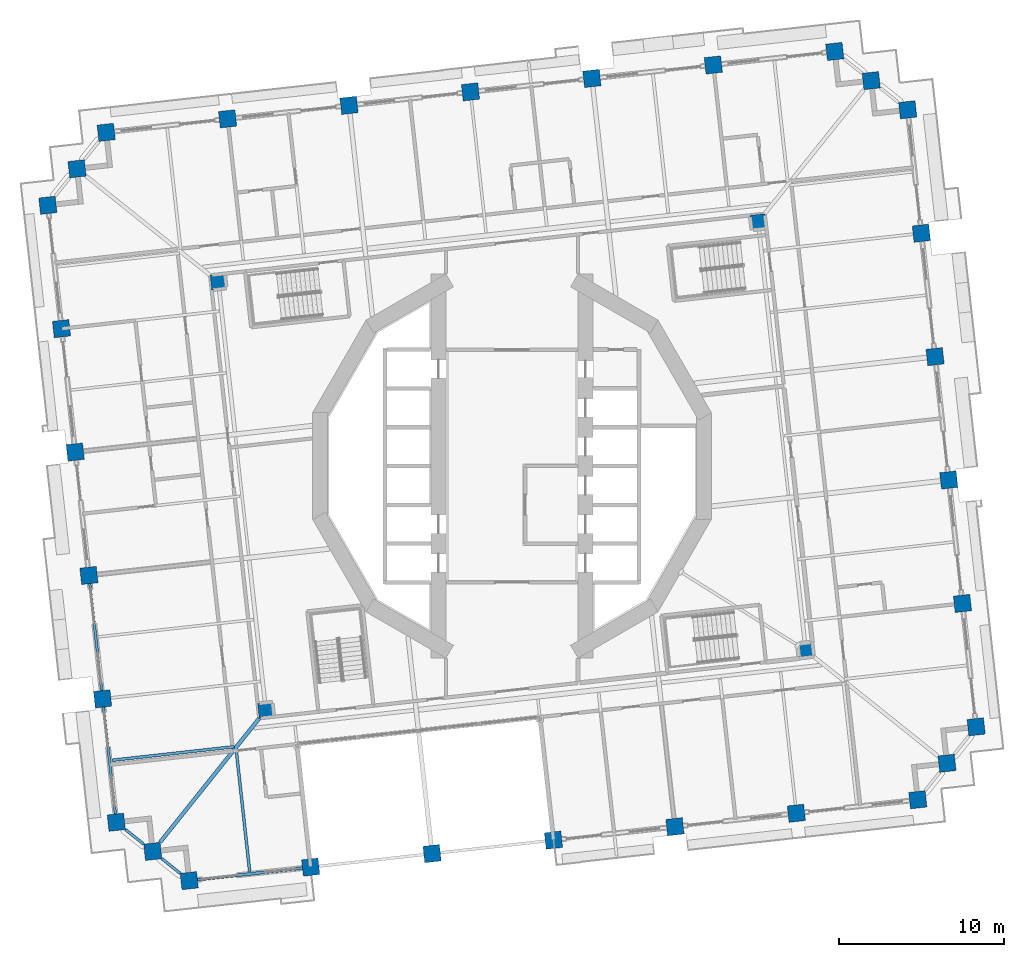
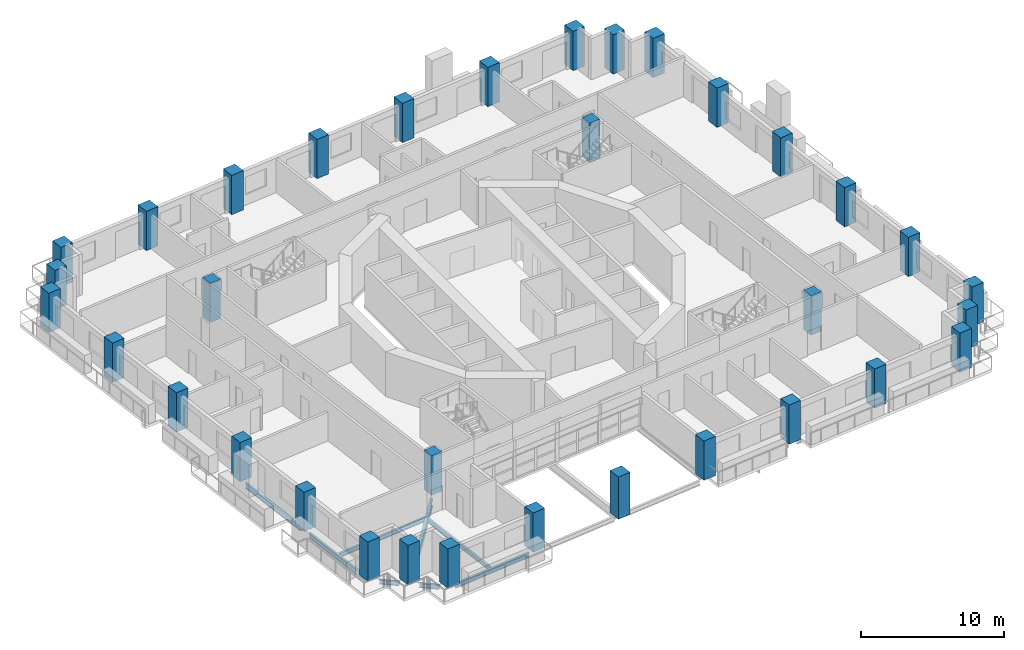
# One storey, part 1 of 21: 34 columns, 8 beams.
"""IFC4 building model written with IfcOpenShell, lengths in metres."""

from ifc_helpers import new_model, si_unit, direction, frame, origin, origin_2d, place, context, subcontext, project, spatial, rectangle, i_section, extrude, material, material_profile, profile_set, type_object, element, save


model = new_model("IFC4")

# Units and contexts
model_context = context("Model", 3, precision=1e-05, world=origin(), true_north=direction((0.0, 1.0)))
body_context = subcontext(model_context, "Body", "Model", "MODEL_VIEW")
ifc_project = project(units=[si_unit("LENGTHUNIT", "METRE"), si_unit("AREAUNIT", "SQUARE_METRE"), si_unit("VOLUMEUNIT", "CUBIC_METRE"), si_unit("PLANEANGLEUNIT", "RADIAN"), si_unit("MASSUNIT", "GRAM", prefix="KILO")], contexts=[model_context])

# Site, building, storey
site_placement = place(None, origin())
site = spatial("IfcSite", under=ifc_project, at=site_placement, CompositionType="ELEMENT")
building_placement = place(site_placement, origin())
building = spatial("IfcBuilding", under=site, at=building_placement, Name="Cantera Rosa Tower", CompositionType="ELEMENT")
storey_placement = place(building_placement, frame((0.0, 0.0, 80.5)))
storey = spatial("IfcBuildingStorey", under=building, at=storey_placement, Name="L17", CompositionType="ELEMENT", Elevation=80.5)

# Columns
ifc_material_1 = material(Name="Concrete C70/85", Category="concrete")
ifc_material_profile_1 = material_profile(ifc_material_1, rectangle(XDim=1.0, YDim=1.0, at=origin_2d()), Name="RC COLUMN RC1000X1000 C70/85")
ifc_profile_set_1 = profile_set([ifc_material_profile_1], Name="Concrete C70/85")
column_type_1 = type_object("IfcColumnType", Name="RC COLUMN RC1000X1000 C70/85", PredefinedType="COLUMN", material=ifc_profile_set_1)
for number, where, z_axis, x_axis, name in (
    (1, (28.114013671875, -15.795166015625, 0.0), (0.0, 0.0, 1.0), (0.993896946415, 0.110312555526, 0.0), "C-Z1-01 L17"),
    (2, (27.284423828125, -8.321044921875, 0.0), (0.0, 0.0, 1.0), (0.993896946415, 0.110312555526, 0.0), "C-Z1-02 L17"),
    (3, (26.454833984375, -0.846923828125, 0.0), (0.0, 0.0, 1.0), (0.993896946415, 0.110312555526, 0.0), "C-Z1-03 L17"),
    (4, (25.625244140625, 6.627197265625, 0.0), (0.0, 0.0, 1.0), (0.993896946415, 0.110312555526, 0.0), "C-Z1-04 L17"),
    (5, (24.795654296875, 14.101318359375, 0.0), (0.0, 0.0, 1.0), (0.993896946415, 0.110312555526, 0.0), "C-Z1-05 L17"),
    (6, (23.96630859375, 21.575439453125, 0.0), (0.0, 0.0, 1.0), (0.993896946415, 0.110312555526, 0.0), "C-Z1-06 L17"),
    (7, (21.7578125, 23.342529296875, 0.0), (0.0, 0.0, 1.0), (0.993896946415, 0.110312555526, 0.0), "C-Z1-07 L17"),
    (8, (19.54931640625, 25.10986328125, 0.0), (0.0, 0.0, 1.0), (0.993896946415, 0.110312555526, 0.0), "C-Z1-08 L17"),
    (9, (12.194580078125, 24.29345703125, 0.0), (0.0, 0.0, 1.0), (0.993896946415, 0.110312555526, 0.0), "C-Z1-09 L17"),
    (10, (4.839599609375, 23.47705078125, 0.0), (0.0, 0.0, 1.0), (0.993896946415, 0.110312555526, 0.0), "C-Z1-10 L17"),
    (11, (-2.51513671875, 22.660888671875, 0.0), (0.0, 0.0, 1.0), (0.993896946415, 0.110312555526, 0.0), "C-Z1-11 L17"),
    (12, (-9.869873046875, 21.844482421875, 0.0), (0.0, 0.0, 1.0), (0.993896946415, 0.110312555526, 0.0), "C-Z1-12 L17"),
    (13, (-17.224853515625, 21.0283203125, 0.0), (0.0, 0.0, 1.0), (0.993896946415, 0.110312555526, 0.0), "C-Z1-13 L17"),
    (14, (-24.57958984375, 20.2119140625, 0.0), (0.0, 0.0, 1.0), (0.993896946415, 0.110312555526, 0.0), "C-Z1-14 L17"),
    (15, (-26.346923828125, 18.00341796875, 0.0), (0.0, 0.0, 1.0), (0.993896946415, 0.110312555526, 0.0), "C-Z1-15 L17"),
    (16, (-28.114013671875, 15.795166015625, 0.0), (0.0, 0.0, 1.0), (0.993896946415, 0.110312555526, 0.0), "C-Z1-16 L17"),
    (17, (-27.284423828125, 8.321044921875, 0.0), (0.0, 0.0, 1.0), (0.993896946415, 0.110312555526, 0.0), "C-Z1-17 L17"),
    (18, (-26.454833984375, 0.846923828125, 0.0), (0.0, 0.0, 1.0), (0.993896946415, 0.110312555526, 0.0), "C-Z1-18 L17"),
    (19, (-25.625244140625, -6.627197265625, 0.0), (0.0, 0.0, 1.0), (0.993896946415, 0.110312555526, 0.0), "C-Z1-19 L17"),
    (20, (-24.795654296875, -14.101318359375, 0.0), (0.0, 0.0, 1.0), (0.993896946415, 0.110312555526, 0.0), "C-Z1-20 L17"),
    (21, (-23.96630859375, -21.575439453125, 0.0), (0.0, 0.0, 1.0), (0.993896946415, 0.110312555526, 0.0), "C-Z1-21 L17"),
    (22, (-21.7578125, -23.342529296875, 0.0), (0.0, 0.0, 1.0), (0.993896946415, 0.110312555526, 0.0), "C-Z1-22 L17"),
    (23, (-19.54931640625, -25.10986328125, 0.0), (0.0, 0.0, 1.0), (0.993896946415, 0.110312555526, 0.0), "C-Z1-23 L17"),
    (24, (-12.194580078125, -24.29345703125, 0.0), (0.0, 0.0, 1.0), (0.993896946415, 0.110312555526, 0.0), "C-Z1-24 L17"),
):
    element("IfcColumn", number, at=place(storey_placement, frame(where, z_axis=z_axis, x_axis=x_axis)), inside=storey, type_object=column_type_1, Name=name, PredefinedType="COLUMN", context=body_context, shape_type="SweptSolid", body=[
        extrude(rectangle(XDim=1.0, YDim=1.0, at=origin_2d()), origin(), (0.0, 0.0, 1.0), 3.35009765625),
    ])
column_placement = place(storey_placement, frame((-4.839599609375, -23.47705078125, -0.25), z_axis=(0.0, 0.0, 1.0), x_axis=(0.993896946415, 0.110312555526, 0.0)))
element("IfcColumn", 25, at=column_placement, inside=storey, type_object=column_type_1, Name="C-Z1-25 L17", PredefinedType="COLUMN", context=body_context, shape_type="SweptSolid", body=[
    extrude(rectangle(XDim=1.0, YDim=1.0, at=origin_2d()), origin(), (0.0, 0.0, 1.0), 3.60009765625),
])
for number, where, z_axis, x_axis, name in (
    (26, (2.51513671875, -22.660888671875, 0.0), (0.0, 0.0, 1.0), (0.993896946415, 0.110312555526, 0.0), "C-Z1-26 L17"),
    (27, (9.869873046875, -21.844482421875, 0.0), (0.0, 0.0, 1.0), (0.993896946415, 0.110312555526, 0.0), "C-Z1-27 L17"),
    (28, (17.224853515625, -21.0283203125, 0.0), (0.0, 0.0, 1.0), (0.993896946415, 0.110312555526, 0.0), "C-Z1-28 L17"),
    (29, (24.57958984375, -20.2119140625, 0.0), (0.0, 0.0, 1.0), (0.993896946415, 0.110312555526, 0.0), "C-Z1-29 L17"),
    (30, (26.346923828125, -18.00341796875, 0.0), (0.0, 0.0, 1.0), (0.993896946415, 0.110312555526, 0.0), "C-Z1-30 L17"),
):
    element("IfcColumn", number, at=place(storey_placement, frame(where, z_axis=z_axis, x_axis=x_axis)), inside=storey, type_object=column_type_1, Name=name, PredefinedType="COLUMN", context=body_context, shape_type="SweptSolid", body=[
        extrude(rectangle(XDim=1.0, YDim=1.0, at=origin_2d()), origin(), (0.0, 0.0, 1.0), 3.35009765625),
    ])
ifc_material_2 = material(Name="Concrete C70/85", Category="concrete")
ifc_material_profile_2 = material_profile(ifc_material_2, rectangle(XDim=0.89990234375, YDim=0.89990234375, at=origin_2d()), Name="RC RING COLUMN RC900X900 C70/85")
ifc_profile_set_2 = profile_set([ifc_material_profile_2], Name="Concrete C70/85")
column_type_2 = type_object("IfcColumnType", Name="RC RING COLUMN RC900X900 C70/85", PredefinedType="COLUMN", material=ifc_profile_set_2)
for number, where, z_axis, x_axis, name in (
    (31, (14.909912109375, 14.784912109375, 0.0), (0.0, 0.0, 1.0), (0.993896946415, 0.110312555526, 0.0), "CI-Z1-1 L17"),
    (32, (-17.7890625, 11.15576171875, 0.0), (0.0, 0.0, 1.0), (0.993896946415, 0.110312555526, 0.0), "CI-Z1-2 L17"),
    (33, (-14.909912109375, -14.784912109375, 0.0), (0.0, 0.0, 1.0), (0.993896946415, 0.110312555526, 0.0), "CI-Z1-3 L17"),
    (34, (17.7890625, -11.15576171875, 0.0), (0.0, 0.0, 1.0), (0.993896946415, 0.110312555526, 0.0), "CI-Z1-4 L17"),
):
    element("IfcColumn", number, at=place(storey_placement, frame(where, z_axis=z_axis, x_axis=x_axis)), inside=storey, type_object=column_type_2, Name=name, PredefinedType="COLUMN", context=body_context, shape_type="SweptSolid", body=[
        extrude(rectangle(XDim=0.89990234375, YDim=0.89990234375, at=origin_2d()), origin(), (0.0, 0.0, 1.0), 3.35009765625),
    ])

# Beams
ifc_material_3 = material(Name="Steel ASTM A992 (Fy 345 MPa)", Category="steel")
ifc_material_profile_3 = material_profile(ifc_material_3, i_section(OverallWidth=0.22802734375, OverallDepth=0.60205078125, WebThickness=0.010498046875, FlangeThickness=0.014892578125, FilletRadius=0.0126953125, at=origin_2d()), Name="W610X101")
ifc_profile_set_3 = profile_set([ifc_material_profile_3], Name="Steel ASTM A992 (Fy 345 MPa)")
beam_type_1 = type_object("IfcBeamType", Name="STEEL BEAM W610X101", PredefinedType="BEAM", material=ifc_profile_set_3)
beam_1_placement = place(storey_placement, frame((-21.31591796875, -22.79052734375, -0.551025390625), z_axis=(0.624787924463, 0.780794498857, 0.0), x_axis=(-0.780794498857, 0.624787924463, 0.0)))
element("IfcBeam", 35, at=beam_1_placement, inside=storey, type_object=beam_type_1, Name="CB-Z1-03 L17", PredefinedType="BEAM", context=body_context, shape_type="SweptSolid", body=[
    extrude(i_section(OverallWidth=0.22802734375, OverallDepth=0.60205078125, WebThickness=0.010498046875, FlangeThickness=0.014892578125, FilletRadius=0.0126953125, at=origin_2d()), origin(), (0.0, 0.0, 1.0), 9.616455078125),
])
ifc_material_4 = material(Name="Steel ASTM A992 (Fy 345 MPa)", Category="steel")
ifc_material_profile_4 = material_profile(ifc_material_4, i_section(OverallWidth=0.1708984375, OverallDepth=0.35595703125, WebThickness=0.00732421875, FlangeThickness=0.01171875, FilletRadius=0.010009765625, at=origin_2d()), Name="W360X51")
ifc_profile_set_4 = profile_set([ifc_material_profile_4], Name="Steel ASTM A992 (Fy 345 MPa)")
beam_type_2 = type_object("IfcBeamType", Name="STEEL JOIST W360X51", PredefinedType="JOIST", material=ifc_profile_set_4)
beam_2_placement = place(storey_placement, frame((-15.888427734375, -24.552490234375, -0.427978515625), z_axis=(-0.110326513132, 0.993895397162, 0.0), x_axis=(-0.993895397162, -0.110326513132, 0.0)))
element("IfcBeam", 36, at=beam_2_placement, inside=storey, type_object=beam_type_2, Name="B-Z1-12 L17", PredefinedType="JOIST", context=body_context, shape_type="SweptSolid", body=[
    extrude(i_section(OverallWidth=0.1708984375, OverallDepth=0.35595703125, WebThickness=0.00732421875, FlangeThickness=0.01171875, FilletRadius=0.010009765625, at=origin_2d()), origin(), (0.0, 0.0, 1.0), 7.39990234375),
])
beam_3_placement = place(storey_placement, frame((-24.23193359375, -17.82177734375, -0.427978515625), z_axis=(0.993899688369, 0.110287848199, 0.0), x_axis=(-0.110287848199, 0.993899688369, 0.0)))
element("IfcBeam", 37, at=beam_3_placement, inside=storey, type_object=beam_type_2, Name="B-Z1-22 L17", PredefinedType="JOIST", context=body_context, shape_type="SweptSolid", body=[
    extrude(i_section(OverallWidth=0.1708984375, OverallDepth=0.35595703125, WebThickness=0.00732421875, FlangeThickness=0.01171875, FilletRadius=0.010009765625, at=origin_2d()), origin(), (0.0, 0.0, 1.0), 7.4599609375),
])
ifc_material_5 = material(Name="Steel ASTM A992 (Fy 345 MPa)", Category="steel")
ifc_material_profile_5 = material_profile(ifc_material_5, i_section(OverallWidth=0.1708984375, OverallDepth=0.35595703125, WebThickness=0.00732421875, FlangeThickness=0.01171875, FilletRadius=0.010009765625, at=origin_2d()), Name="W360X51")
ifc_profile_set_5 = profile_set([ifc_material_profile_5], Name="Steel ASTM A992 (Fy 345 MPa)")
beam_type_3 = type_object("IfcBeamType", Name="STEEL SPANDREL BEAM W360X51", PredefinedType="SPANDREL", material=ifc_profile_set_5)
for number, where, z_axis, x_axis, name in (
    (38, (-23.4140625, -22.017333984375, -0.427978515625), (0.780818280208, -0.624758203863, 0.0), (0.624758203863, 0.780818280208, 0.0), "EB-Z1-21 L17"),
    (39, (-21.205810546875, -23.784423828125, -0.427978515625), (0.780818280208, -0.624758203863, 0.0), (0.624758203863, 0.780818280208, 0.0), "EB-Z1-22 L17"),
):
    element("IfcBeam", number, at=place(storey_placement, frame(where, z_axis=z_axis, x_axis=x_axis)), inside=storey, type_object=beam_type_3, Name=name, PredefinedType="SPANDREL", context=body_context, shape_type="SweptSolid", body=[
        extrude(i_section(OverallWidth=0.1708984375, OverallDepth=0.35595703125, WebThickness=0.00732421875, FlangeThickness=0.01171875, FilletRadius=0.010009765625, at=origin_2d()), origin(), (0.0, 0.0, 1.0), 1.414306640625),
    ])
ifc_material_6 = material(Name="Steel ASTM A992 (Fy 345 MPa)", Category="steel")
ifc_material_profile_6 = material_profile(ifc_material_6, i_section(OverallWidth=0.177978515625, OverallDepth=0.406005859375, WebThickness=0.0078125, FlangeThickness=0.0126953125, FilletRadius=0.01025390625, at=origin_2d()), Name="W410X60")
ifc_profile_set_6 = profile_set([ifc_material_profile_6], Name="Steel ASTM A992 (Fy 345 MPa)")
beam_type_4 = type_object("IfcBeamType", Name="STEEL SPANDREL BEAM W410X60", PredefinedType="SPANDREL", material=ifc_profile_set_6)
beam_4_placement = place(storey_placement, frame((-19.052490234375, -25.0546875, -0.452880859375), z_axis=(0.993896288542, 0.110318482689, 0.0), x_axis=(-0.110318482689, 0.993896288542, 0.0)))
element("IfcBeam", 40, at=beam_4_placement, inside=storey, type_object=beam_type_4, Name="EB-Z1-23 L17", PredefinedType="SPANDREL", context=body_context, shape_type="SweptSolid", body=[
    extrude(i_section(OverallWidth=0.177978515625, OverallDepth=0.406005859375, WebThickness=0.0078125, FlangeThickness=0.0126953125, FilletRadius=0.01025390625, at=origin_2d()), origin(), (0.0, 0.0, 1.0), 6.400146484375),
])
ifc_material_7 = material(Name="Steel ASTM A992 (Fy 345 MPa)", Category="steel")
ifc_material_profile_7 = material_profile(ifc_material_7, i_section(OverallWidth=0.154052734375, OverallDepth=0.4599609375, WebThickness=0.009033203125, FlangeThickness=0.015380859375, FilletRadius=0.01025390625, at=origin_2d()), Name="W460X68")
ifc_profile_set_7 = profile_set([ifc_material_profile_7], Name="Steel ASTM A992 (Fy 345 MPa)")
beam_type_5 = type_object("IfcBeamType", Name="STEEL SPANDREL BEAM W460X68", PredefinedType="SPANDREL", material=ifc_profile_set_7)
for number, where, z_axis, x_axis, name in (
    (41, (-25.570068359375, -7.124267578125, -0.47998046875), (0.110312341265, -0.993896970196, 0.0), (0.993896970196, 0.110312341265, 0.0), "EB-Z1-19 L17"),
    (42, (-24.74072265625, -14.598388671875, -0.47998046875), (0.110312341265, -0.993896970196, 0.0), (0.993896970196, 0.110312341265, 0.0), "EB-Z1-20 L17"),
):
    element("IfcBeam", number, at=place(storey_placement, frame(where, z_axis=z_axis, x_axis=x_axis)), inside=storey, type_object=beam_type_5, Name=name, PredefinedType="SPANDREL", context=body_context, shape_type="SweptSolid", body=[
        extrude(i_section(OverallWidth=0.154052734375, OverallDepth=0.4599609375, WebThickness=0.009033203125, FlangeThickness=0.015380859375, FilletRadius=0.01025390625, at=origin_2d()), origin(), (0.0, 0.0, 1.0), 6.52001953125),
    ])

save(model, "model.ifc")
